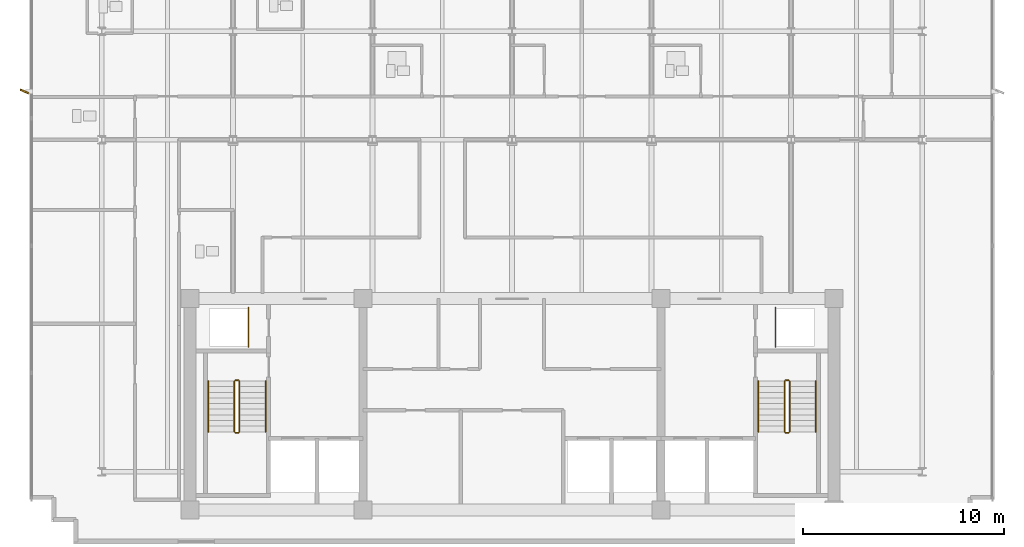
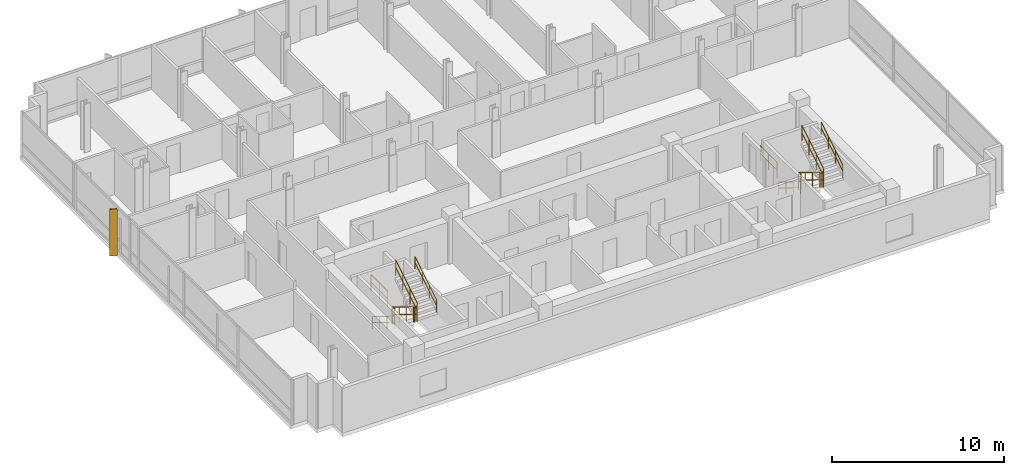
# One storey, part 12 of 14: 14 railings, 1 shading device.
"""IFC4 building model written with IfcOpenShell, lengths in metres."""

from ifc_helpers import new_model, si_unit, direction, frame, origin, origin_2d, place, context, subcontext, project, spatial, rectangle, circle, extrude, material, layer, layer_set, type_object, element, save


model = new_model("IFC4")

# Units and contexts
model_context = context("Model", 3, precision=1e-05, world=origin(), true_north=direction((0.0, 1.0)))
body_context = subcontext(model_context, "Body", "Model", "MODEL_VIEW")
ifc_project = project(units=[si_unit("LENGTHUNIT", "METRE"), si_unit("AREAUNIT", "SQUARE_METRE"), si_unit("VOLUMEUNIT", "CUBIC_METRE"), si_unit("PLANEANGLEUNIT", "RADIAN"), si_unit("MASSUNIT", "GRAM", prefix="KILO")], contexts=[model_context])

# Site, building, storey
site_placement = place(None, origin())
site = spatial("IfcSite", under=ifc_project, at=site_placement, CompositionType="ELEMENT")
building_placement = place(site_placement, origin())
building = spatial("IfcBuilding", under=site, at=building_placement, Name="Solmavex Isthmus Hotel", CompositionType="ELEMENT")
storey_placement = place(building_placement, frame((0.0, 0.0, 252.300048828125)))
storey = spatial("IfcBuildingStorey", under=building, at=storey_placement, Name="L68", CompositionType="ELEMENT", Elevation=252.300048828125)

# Railings
ifc_material_1 = material(Name="Clear low-E laminated glass", Category="glass")
ifc_layer_1 = layer(ifc_material_1, 0.080078125)
ifc_layer_set_1 = layer_set([ifc_layer_1], Name="Clear low-E laminated glass")
railing_type_1 = type_object("IfcRailingType", Name="RAIL-ATRIUM-1120", PredefinedType="BALUSTRADE", material=ifc_layer_set_1)
for number, where, name in (
    (1, (-13.10009765625, -4.89990234375, 0.0), "Guardrail Balustrade L68-RSW-01"),
    (2, (13.10009765625, -4.89990234375, 0.0), "Guardrail Balustrade L68-RSE-01"),
):
    element("IfcRailing", number, at=place(storey_placement, frame(where)), inside=storey, type_object=railing_type_1, Name=name, PredefinedType="BALUSTRADE", context=body_context, shape_type="SweptSolid", body=[
        extrude(circle(Radius=0.02392578125, at=origin_2d()), frame((0.0, 0.0, 1.1259765625), z_axis=(0.0, 1.0, 0.0), x_axis=(-1.0, 0.0, 0.0)), (0.0, 0.0, 1.0), 1.949951171875),
        extrude(circle(Radius=0.02392578125, at=origin_2d()), frame((0.0, 0.0, 0.574951171875), z_axis=(0.0, 1.0, 0.0), x_axis=(-1.0, 0.0, 0.0)), (0.0, 0.0, 1.0), 1.949951171875),
        extrude(circle(Radius=0.02099609375, at=origin_2d()), origin(), (0.0, 0.0, 1.0), 1.101806640625),
        extrude(circle(Radius=0.02099609375, at=origin_2d()), frame((0.0, 0.97509765625, 0.0)), (0.0, 0.0, 1.0), 1.101806640625),
        extrude(circle(Radius=0.02099609375, at=origin_2d()), frame((0.0, 1.949951171875, 0.0)), (0.0, 0.0, 1.0), 1.101806640625),
    ])
ifc_material_2 = material(Name="Stainless steel 316", Category="steel")
ifc_layer_2 = layer(ifc_material_2, 0.06005859375)
ifc_layer_set_2 = layer_set([ifc_layer_2], Name="Stainless steel 316")
railing_type_2 = type_object("IfcRailingType", Name="RAIL-STAIR-GD", PredefinedType="GUARDRAIL", material=ifc_layer_set_2)
railing_1_placement = place(storey_placement, frame((-13.800048828125, -6.60009765625, 0.17236328125)))
element("IfcRailing", 3, at=railing_1_placement, inside=storey, type_object=railing_type_2, Name="L68 ST-1 stair guard 1", PredefinedType="GUARDRAIL", context=body_context, shape_type="SweptSolid", body=[
    extrude(circle(Radius=0.02392578125, at=origin_2d()), frame((0.0, 0.0, 1.09619140625), z_axis=(0.0, -0.851400495292, 0.524516154772), x_axis=(1.0, 0.0, 0.0)), (0.0, 0.0, 1.0), 2.9599609375),
    extrude(circle(Radius=0.02392578125, at=origin_2d()), frame((0.0, 0.0, 0.56005859375), z_axis=(0.0, -0.851400495292, 0.524516154772), x_axis=(1.0, 0.0, 0.0)), (0.0, 0.0, 1.0), 2.9599609375),
    extrude(circle(Radius=0.02099609375, at=origin_2d()), origin(), (0.0, 0.0, 1.0), 1.072021484375),
    extrude(circle(Radius=0.02099609375, at=origin_2d()), frame((0.0, -0.840087890625, 0.517578125)), (0.0, 0.0, 1.0), 1.072021484375),
    extrude(circle(Radius=0.02099609375, at=origin_2d()), frame((0.0, -1.679931640625, 1.034912109375)), (0.0, 0.0, 1.0), 1.072021484375),
    extrude(circle(Radius=0.02099609375, at=origin_2d()), frame((0.0, -2.52001953125, 1.552490234375)), (0.0, 0.0, 1.0), 1.072021484375),
])
railing_2_placement = place(storey_placement, frame((-13.75, -9.169921875, 1.724853515625)))
element("IfcRailing", 4, at=railing_2_placement, inside=storey, type_object=railing_type_2, Name="L68 ST-1 stair guard 2", PredefinedType="GUARDRAIL", context=body_context, shape_type="SweptSolid", body=[
    extrude(circle(Radius=0.02392578125, at=origin_2d()), frame((0.0, 0.0, 1.09619140625), z_axis=(1.0, 0.0, 0.0), x_axis=(0.0, 1.0, 0.0)), (0.0, 0.0, 1.0), 0.14990234375),
    extrude(circle(Radius=0.02392578125, at=origin_2d()), frame((0.0, 0.0, 0.56005859375), z_axis=(1.0, 0.0, 0.0), x_axis=(0.0, 1.0, 0.0)), (0.0, 0.0, 1.0), 0.14990234375),
    extrude(circle(Radius=0.02099609375, at=origin_2d()), origin(), (0.0, 0.0, 1.0), 1.072021484375),
    extrude(circle(Radius=0.02099609375, at=origin_2d()), frame((0.14990234375, 0.0, 0.0)), (0.0, 0.0, 1.0), 1.072021484375),
])
railing_3_placement = place(storey_placement, frame((-13.550048828125, -9.1201171875, 1.8974609375)))
element("IfcRailing", 5, at=railing_3_placement, inside=storey, type_object=railing_type_2, Name="L68 ST-1 stair guard 3", PredefinedType="GUARDRAIL", context=body_context, shape_type="SweptSolid", body=[
    extrude(circle(Radius=0.02392578125, at=origin_2d()), frame((0.0, 0.0, 1.09619140625), z_axis=(0.0, 0.851400495292, 0.524516154772), x_axis=(-1.0, 0.0, 0.0)), (0.0, 0.0, 1.0), 2.9599609375),
    extrude(circle(Radius=0.02392578125, at=origin_2d()), frame((0.0, 0.0, 0.56005859375), z_axis=(0.0, 0.851400495292, 0.524516154772), x_axis=(-1.0, 0.0, 0.0)), (0.0, 0.0, 1.0), 2.9599609375),
    extrude(circle(Radius=0.02099609375, at=origin_2d()), origin(), (0.0, 0.0, 1.0), 1.072021484375),
    extrude(circle(Radius=0.02099609375, at=origin_2d()), frame((0.0, 0.840087890625, 0.517578125)), (0.0, 0.0, 1.0), 1.072021484375),
    extrude(circle(Radius=0.02099609375, at=origin_2d()), frame((0.0, 1.679931640625, 1.034912109375)), (0.0, 0.0, 1.0), 1.072021484375),
    extrude(circle(Radius=0.02099609375, at=origin_2d()), frame((0.0, 2.52001953125, 1.552490234375)), (0.0, 0.0, 1.0), 1.072021484375),
])
railing_4_placement = place(storey_placement, frame((-13.75, -6.550048828125, 0.0)))
element("IfcRailing", 6, at=railing_4_placement, inside=storey, type_object=railing_type_2, Name="L68 ST-1 stair guard 4", PredefinedType="GUARDRAIL", context=body_context, shape_type="SweptSolid", body=[
    extrude(circle(Radius=0.02392578125, at=origin_2d()), frame((0.0, 0.0, 1.09619140625), z_axis=(1.0, 0.0, 0.0), x_axis=(0.0, 1.0, 0.0)), (0.0, 0.0, 1.0), 0.14990234375),
    extrude(circle(Radius=0.02392578125, at=origin_2d()), frame((0.0, 0.0, 0.56005859375), z_axis=(1.0, 0.0, 0.0), x_axis=(0.0, 1.0, 0.0)), (0.0, 0.0, 1.0), 0.14990234375),
    extrude(circle(Radius=0.02099609375, at=origin_2d()), origin(), (0.0, 0.0, 1.0), 1.072021484375),
    extrude(circle(Radius=0.02099609375, at=origin_2d()), frame((0.14990234375, 0.0, 0.0)), (0.0, 0.0, 1.0), 1.072021484375),
])
railing_5_placement = place(storey_placement, frame((13.550048828125, -6.60009765625, 0.17236328125)))
element("IfcRailing", 7, at=railing_5_placement, inside=storey, type_object=railing_type_2, Name="L68 ST-2 stair guard 1", PredefinedType="GUARDRAIL", context=body_context, shape_type="SweptSolid", body=[
    extrude(circle(Radius=0.02392578125, at=origin_2d()), frame((0.0, 0.0, 1.09619140625), z_axis=(0.0, -0.851400495292, 0.524516154772), x_axis=(1.0, 0.0, 0.0)), (0.0, 0.0, 1.0), 2.9599609375),
    extrude(circle(Radius=0.02392578125, at=origin_2d()), frame((0.0, 0.0, 0.56005859375), z_axis=(0.0, -0.851400495292, 0.524516154772), x_axis=(1.0, 0.0, 0.0)), (0.0, 0.0, 1.0), 2.9599609375),
    extrude(circle(Radius=0.02099609375, at=origin_2d()), origin(), (0.0, 0.0, 1.0), 1.072021484375),
    extrude(circle(Radius=0.02099609375, at=origin_2d()), frame((0.0, -0.840087890625, 0.517578125)), (0.0, 0.0, 1.0), 1.072021484375),
    extrude(circle(Radius=0.02099609375, at=origin_2d()), frame((0.0, -1.679931640625, 1.034912109375)), (0.0, 0.0, 1.0), 1.072021484375),
    extrude(circle(Radius=0.02099609375, at=origin_2d()), frame((0.0, -2.52001953125, 1.552490234375)), (0.0, 0.0, 1.0), 1.072021484375),
])
railing_6_placement = place(storey_placement, frame((13.60009765625, -9.169921875, 1.724853515625)))
element("IfcRailing", 8, at=railing_6_placement, inside=storey, type_object=railing_type_2, Name="L68 ST-2 stair guard 2", PredefinedType="GUARDRAIL", context=body_context, shape_type="SweptSolid", body=[
    extrude(circle(Radius=0.02392578125, at=origin_2d()), frame((0.0, 0.0, 1.09619140625), z_axis=(1.0, 0.0, 0.0), x_axis=(0.0, 1.0, 0.0)), (0.0, 0.0, 1.0), 0.14990234375),
    extrude(circle(Radius=0.02392578125, at=origin_2d()), frame((0.0, 0.0, 0.56005859375), z_axis=(1.0, 0.0, 0.0), x_axis=(0.0, 1.0, 0.0)), (0.0, 0.0, 1.0), 0.14990234375),
    extrude(circle(Radius=0.02099609375, at=origin_2d()), origin(), (0.0, 0.0, 1.0), 1.072021484375),
    extrude(circle(Radius=0.02099609375, at=origin_2d()), frame((0.14990234375, 0.0, 0.0)), (0.0, 0.0, 1.0), 1.072021484375),
])
railing_7_placement = place(storey_placement, frame((13.800048828125, -9.1201171875, 1.8974609375)))
element("IfcRailing", 9, at=railing_7_placement, inside=storey, type_object=railing_type_2, Name="L68 ST-2 stair guard 3", PredefinedType="GUARDRAIL", context=body_context, shape_type="SweptSolid", body=[
    extrude(circle(Radius=0.02392578125, at=origin_2d()), frame((0.0, 0.0, 1.09619140625), z_axis=(0.0, 0.851400495292, 0.524516154772), x_axis=(-1.0, 0.0, 0.0)), (0.0, 0.0, 1.0), 2.9599609375),
    extrude(circle(Radius=0.02392578125, at=origin_2d()), frame((0.0, 0.0, 0.56005859375), z_axis=(0.0, 0.851400495292, 0.524516154772), x_axis=(-1.0, 0.0, 0.0)), (0.0, 0.0, 1.0), 2.9599609375),
    extrude(circle(Radius=0.02099609375, at=origin_2d()), origin(), (0.0, 0.0, 1.0), 1.072021484375),
    extrude(circle(Radius=0.02099609375, at=origin_2d()), frame((0.0, 0.840087890625, 0.517578125)), (0.0, 0.0, 1.0), 1.072021484375),
    extrude(circle(Radius=0.02099609375, at=origin_2d()), frame((0.0, 1.679931640625, 1.034912109375)), (0.0, 0.0, 1.0), 1.072021484375),
    extrude(circle(Radius=0.02099609375, at=origin_2d()), frame((0.0, 2.52001953125, 1.552490234375)), (0.0, 0.0, 1.0), 1.072021484375),
])
railing_8_placement = place(storey_placement, frame((13.60009765625, -6.550048828125, 0.0)))
element("IfcRailing", 10, at=railing_8_placement, inside=storey, type_object=railing_type_2, Name="L68 ST-2 stair guard 4", PredefinedType="GUARDRAIL", context=body_context, shape_type="SweptSolid", body=[
    extrude(circle(Radius=0.02392578125, at=origin_2d()), frame((0.0, 0.0, 1.09619140625), z_axis=(1.0, 0.0, 0.0), x_axis=(0.0, 1.0, 0.0)), (0.0, 0.0, 1.0), 0.14990234375),
    extrude(circle(Radius=0.02392578125, at=origin_2d()), frame((0.0, 0.0, 0.56005859375), z_axis=(1.0, 0.0, 0.0), x_axis=(0.0, 1.0, 0.0)), (0.0, 0.0, 1.0), 0.14990234375),
    extrude(circle(Radius=0.02099609375, at=origin_2d()), origin(), (0.0, 0.0, 1.0), 1.072021484375),
    extrude(circle(Radius=0.02099609375, at=origin_2d()), frame((0.14990234375, 0.0, 0.0)), (0.0, 0.0, 1.0), 1.072021484375),
])
ifc_layer_3 = layer(ifc_material_2, 0.050048828125)
ifc_layer_set_3 = layer_set([ifc_layer_3], Name="Stainless steel 316")
railing_type_3 = type_object("IfcRailingType", Name="RAIL-STAIR-HR", PredefinedType="HANDRAIL", material=ifc_layer_set_3)
railing_9_placement = place(storey_placement, frame((-15.10009765625, -6.60009765625, 0.17236328125)))
element("IfcRailing", 11, at=railing_9_placement, inside=storey, type_object=railing_type_3, Name="L68 ST-1 stair handrail 1", PredefinedType="HANDRAIL", context=body_context, shape_type="SweptSolid", body=[
    extrude(circle(Radius=0.02392578125, at=origin_2d()), frame((0.0, 0.0, 0.8759765625), z_axis=(0.0, -0.851400495292, 0.524516154772), x_axis=(1.0, 0.0, 0.0)), (0.0, 0.0, 1.0), 2.9599609375),
    extrude(circle(Radius=0.02392578125, at=origin_2d()), frame((0.0, 0.0, 0.449951171875), z_axis=(0.0, -0.851400495292, 0.524516154772), x_axis=(1.0, 0.0, 0.0)), (0.0, 0.0, 1.0), 2.9599609375),
    extrude(circle(Radius=0.02099609375, at=origin_2d()), origin(), (0.0, 0.0, 1.0), 0.851806640625),
    extrude(circle(Radius=0.02099609375, at=origin_2d()), frame((0.0, -0.840087890625, 0.517578125)), (0.0, 0.0, 1.0), 0.851806640625),
    extrude(circle(Radius=0.02099609375, at=origin_2d()), frame((0.0, -1.679931640625, 1.034912109375)), (0.0, 0.0, 1.0), 0.851806640625),
    extrude(circle(Radius=0.02099609375, at=origin_2d()), frame((0.0, -2.52001953125, 1.552490234375)), (0.0, 0.0, 1.0), 0.851806640625),
])
railing_10_placement = place(storey_placement, frame((-12.25, -9.1201171875, 1.8974609375)))
element("IfcRailing", 12, at=railing_10_placement, inside=storey, type_object=railing_type_3, Name="L68 ST-1 stair handrail 2", PredefinedType="HANDRAIL", context=body_context, shape_type="SweptSolid", body=[
    extrude(circle(Radius=0.02392578125, at=origin_2d()), frame((0.0, 0.0, 0.8759765625), z_axis=(0.0, 0.851400495292, 0.524516154772), x_axis=(-1.0, 0.0, 0.0)), (0.0, 0.0, 1.0), 2.9599609375),
    extrude(circle(Radius=0.02392578125, at=origin_2d()), frame((0.0, 0.0, 0.449951171875), z_axis=(0.0, 0.851400495292, 0.524516154772), x_axis=(-1.0, 0.0, 0.0)), (0.0, 0.0, 1.0), 2.9599609375),
    extrude(circle(Radius=0.02099609375, at=origin_2d()), origin(), (0.0, 0.0, 1.0), 0.851806640625),
    extrude(circle(Radius=0.02099609375, at=origin_2d()), frame((0.0, 0.840087890625, 0.517578125)), (0.0, 0.0, 1.0), 0.851806640625),
    extrude(circle(Radius=0.02099609375, at=origin_2d()), frame((0.0, 1.679931640625, 1.034912109375)), (0.0, 0.0, 1.0), 0.851806640625),
    extrude(circle(Radius=0.02099609375, at=origin_2d()), frame((0.0, 2.52001953125, 1.552490234375)), (0.0, 0.0, 1.0), 0.851806640625),
])
railing_11_placement = place(storey_placement, frame((12.25, -6.60009765625, 0.17236328125)))
element("IfcRailing", 13, at=railing_11_placement, inside=storey, type_object=railing_type_3, Name="L68 ST-2 stair handrail 1", PredefinedType="HANDRAIL", context=body_context, shape_type="SweptSolid", body=[
    extrude(circle(Radius=0.02392578125, at=origin_2d()), frame((0.0, 0.0, 0.8759765625), z_axis=(0.0, -0.851400495292, 0.524516154772), x_axis=(1.0, 0.0, 0.0)), (0.0, 0.0, 1.0), 2.9599609375),
    extrude(circle(Radius=0.02392578125, at=origin_2d()), frame((0.0, 0.0, 0.449951171875), z_axis=(0.0, -0.851400495292, 0.524516154772), x_axis=(1.0, 0.0, 0.0)), (0.0, 0.0, 1.0), 2.9599609375),
    extrude(circle(Radius=0.02099609375, at=origin_2d()), origin(), (0.0, 0.0, 1.0), 0.851806640625),
    extrude(circle(Radius=0.02099609375, at=origin_2d()), frame((0.0, -0.840087890625, 0.517578125)), (0.0, 0.0, 1.0), 0.851806640625),
    extrude(circle(Radius=0.02099609375, at=origin_2d()), frame((0.0, -1.679931640625, 1.034912109375)), (0.0, 0.0, 1.0), 0.851806640625),
    extrude(circle(Radius=0.02099609375, at=origin_2d()), frame((0.0, -2.52001953125, 1.552490234375)), (0.0, 0.0, 1.0), 0.851806640625),
])
railing_12_placement = place(storey_placement, frame((15.10009765625, -9.1201171875, 1.8974609375)))
element("IfcRailing", 14, at=railing_12_placement, inside=storey, type_object=railing_type_3, Name="L68 ST-2 stair handrail 2", PredefinedType="HANDRAIL", context=body_context, shape_type="SweptSolid", body=[
    extrude(circle(Radius=0.02392578125, at=origin_2d()), frame((0.0, 0.0, 0.8759765625), z_axis=(0.0, 0.851400495292, 0.524516154772), x_axis=(-1.0, 0.0, 0.0)), (0.0, 0.0, 1.0), 2.9599609375),
    extrude(circle(Radius=0.02392578125, at=origin_2d()), frame((0.0, 0.0, 0.449951171875), z_axis=(0.0, 0.851400495292, 0.524516154772), x_axis=(-1.0, 0.0, 0.0)), (0.0, 0.0, 1.0), 2.9599609375),
    extrude(circle(Radius=0.02099609375, at=origin_2d()), origin(), (0.0, 0.0, 1.0), 0.851806640625),
    extrude(circle(Radius=0.02099609375, at=origin_2d()), frame((0.0, 0.840087890625, 0.517578125)), (0.0, 0.0, 1.0), 0.851806640625),
    extrude(circle(Radius=0.02099609375, at=origin_2d()), frame((0.0, 1.679931640625, 1.034912109375)), (0.0, 0.0, 1.0), 0.851806640625),
    extrude(circle(Radius=0.02099609375, at=origin_2d()), frame((0.0, 2.52001953125, 1.552490234375)), (0.0, 0.0, 1.0), 0.851806640625),
])

# Shading device
ifc_material_3 = material(Name="Aluminium alloy 6063-T6", Category="aluminium")
shading_device_type = type_object("IfcShadingDeviceType", Name="SHD-FIN-BRONZE", PredefinedType="USERDEFINED", material=ifc_material_3)
shading_device_placement = place(storey_placement, frame((-24.239990234375, 7.800048828125, -0.14013671875), z_axis=(0.0, 0.0, 1.0), x_axis=(-0.913545457643, 0.406736643076, 0.0)))
element("IfcShadingDevice", 15, at=shading_device_placement, inside=storey, type_object=shading_device_type, Name="Anodised Aluminium Solar Fin L68-W1", ObjectType="SOLAR_FIN", PredefinedType="USERDEFINED", context=body_context, shape_type="SweptSolid", body=[
    extrude(rectangle(XDim=0.449951171875, YDim=0.080078125, at=origin_2d()), origin(), (0.0, 0.0, 1.0), 3.330078125),
])

save(model, "model.ifc")
